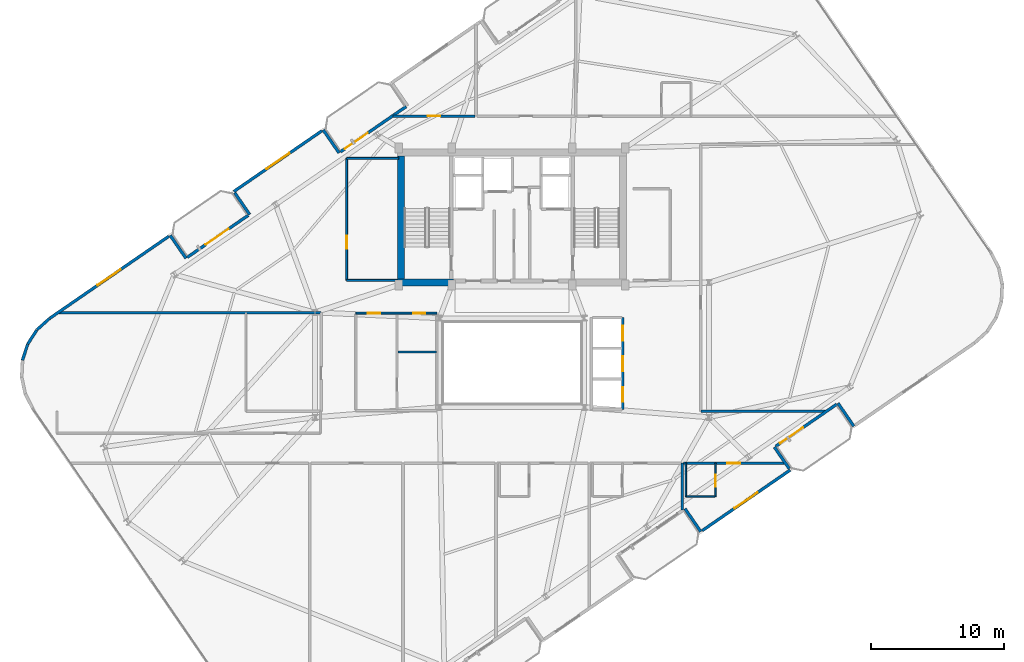
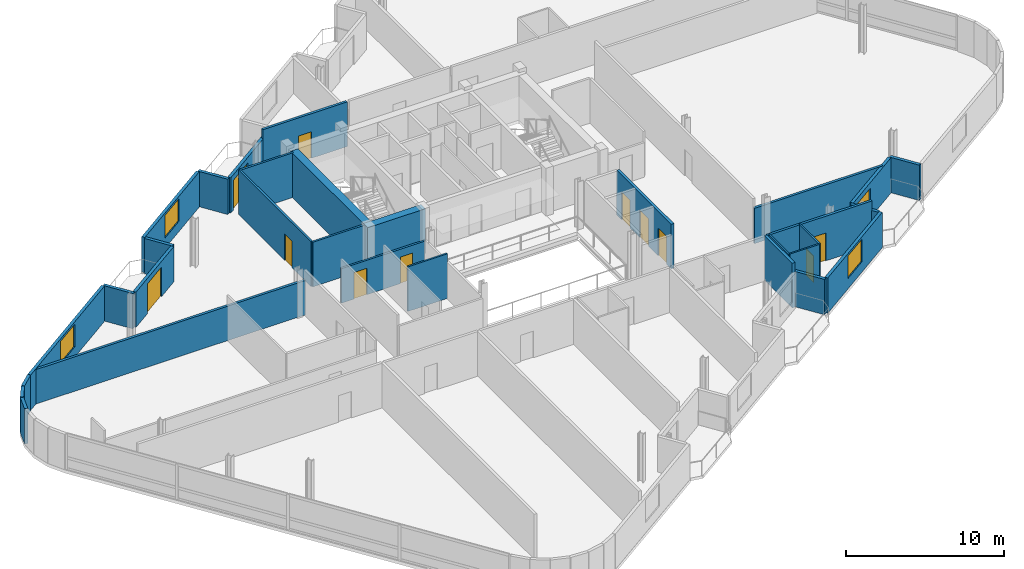
# One storey, part 15 of 21: 31 walls, 12 doors, 3 windows, 15 openings.
"""IFC4 building model written with IfcOpenShell, lengths in metres."""

from ifc_helpers import new_model, si_unit, direction, frame, frame_2d, origin, place, context, subcontext, project, spatial, rectangle, extrude, material, layer, layer_set, type_object, element, fill, save


model = new_model("IFC4")

# Units and contexts
model_context = context("Model", 3, precision=1e-05, world=origin(), true_north=direction((0.0, 1.0)))
body_context = subcontext(model_context, "Body", "Model", "MODEL_VIEW")
ifc_project = project(units=[si_unit("LENGTHUNIT", "METRE"), si_unit("AREAUNIT", "SQUARE_METRE"), si_unit("VOLUMEUNIT", "CUBIC_METRE"), si_unit("PLANEANGLEUNIT", "RADIAN"), si_unit("MASSUNIT", "GRAM", prefix="KILO")], contexts=[model_context])

# Site, building, storey
site_placement = place(None, origin())
site = spatial("IfcSite", under=ifc_project, at=site_placement, CompositionType="ELEMENT")
building_placement = place(site_placement, origin())
building = spatial("IfcBuilding", under=site, at=building_placement, Name="Varnelok Gate Tower", CompositionType="ELEMENT")
storey_placement = place(building_placement, frame((0.0, 0.0, 261.89990234375)))
storey = spatial("IfcBuildingStorey", under=building, at=storey_placement, Name="L67", CompositionType="ELEMENT", Elevation=261.89990234375)

# Wall, opening, door
ifc_material_1 = material(Name="Concrete C45/55", Category="concrete")
ifc_layer_1 = layer(ifc_material_1, 0.219970703125)
ifc_layer_set_1 = layer_set([ifc_layer_1], Name="Concrete C45/55")
wall_type_1 = type_object("IfcWallType", Name="EW-BALC-220", PredefinedType="SOLIDWALL", material=ifc_layer_set_1)
wall_1_placement = place(storey_placement, frame((63.60498046875, 19.780029296875, 0.0), z_axis=(0.0, 0.0, 1.0), x_axis=(-0.823541290762, -0.567256328665, 0.0)))
wall_1 = element("IfcWall", 1, at=wall_1_placement, inside=storey, type_object=wall_type_1, Name="L67 South Terrace Envelope Wall 3", PredefinedType="SOLIDWALL", context=body_context, shape_type="SweptSolid", body=[
    extrude(rectangle(XDim=5.567138671875, YDim=0.219970703125, at=frame_2d((2.78369140625, 0.0))), origin(), (0.0, 0.0, 1.0), 2.72998046875),
])
opening_1_placement = place(wall_1_placement, frame((3.067138671875, 0.0, 0.0)))
opening_1 = element("IfcOpeningElement", 2, at=opening_1_placement, cuts=wall_1, Name="Opening BD-2", PredefinedType="OPENING", context=body_context, shape_type="SweptSolid", body=[
    extrude(rectangle(XDim=2.10009765625, YDim=2.300048828125, at=frame_2d((1.050048828125, 1.14990234375))), frame((0.0, 0.119873046875, 0.0), z_axis=(0.0, -1.0, 0.0), x_axis=(1.0, 0.0, 0.0)), (0.0, 0.0, 1.0), 0.239990234375),
])
ifc_material_2 = material(Name="Anodized Aluminum Alloy 6063-T6", Category="aluminium")
door_type_1 = type_object("IfcDoorType", Name="DR-EXT-SLID2100", OperationType="SLIDING_TO_LEFT", PredefinedType="DOOR", material=ifc_material_2)
door_1_placement = place(opening_1_placement, origin())
door_1 = element("IfcDoor", 3, at=door_1_placement, inside=storey, type_object=door_type_1, Name="L67 South Balcony Glazed Door 3", OperationType="SLIDING_TO_LEFT", OverallHeight=2.300048828125, OverallWidth=2.10009765625, PredefinedType="DOOR", context=body_context, shape_type="SweptSolid", body=[
    extrude(rectangle(XDim=2.10009765625, YDim=2.300048828125, at=frame_2d((1.050048828125, 1.14990234375))), frame((0.0, 0.02490234375, 0.0), z_axis=(0.0, -1.0, 0.0), x_axis=(1.0, 0.0, 0.0)), (0.0, 0.0, 1.0), 0.050048828125),
])
fill(opening_1, door_1)

wall_2_placement = place(storey_placement, frame((14.794921875, 30.81982421875, 0.0), z_axis=(0.0, 0.0, 1.0), x_axis=(0.823541290762, 0.567256328665, 0.0)))
wall_2 = element("IfcWall", 4, at=wall_2_placement, inside=storey, type_object=wall_type_1, Name="L67 North Terrace Envelope Wall 4", PredefinedType="SOLIDWALL", context=body_context, shape_type="SweptSolid", body=[
    extrude(rectangle(XDim=5.567138671875, YDim=0.219970703125, at=frame_2d((2.78369140625, 0.0))), origin(), (0.0, 0.0, 1.0), 2.72998046875),
])
opening_2_placement = place(wall_2_placement, frame((1.68017578125, 0.0, 0.0)))
opening_2 = element("IfcOpeningElement", 5, at=opening_2_placement, cuts=wall_2, Name="Opening BD-2", PredefinedType="OPENING", context=body_context, shape_type="SweptSolid", body=[
    extrude(rectangle(XDim=2.10009765625, YDim=2.300048828125, at=frame_2d((1.050048828125, 1.14990234375))), frame((0.0, 0.119873046875, 0.0), z_axis=(0.0, -1.0, 0.0), x_axis=(1.0, 0.0, 0.0)), (0.0, 0.0, 1.0), 0.239990234375),
])
door_2_placement = place(opening_2_placement, origin())
door_2 = element("IfcDoor", 6, at=door_2_placement, inside=storey, type_object=door_type_1, Name="L67 North Balcony Glazed Door 4", OperationType="SLIDING_TO_LEFT", OverallHeight=2.300048828125, OverallWidth=2.10009765625, PredefinedType="DOOR", context=body_context, shape_type="SweptSolid", body=[
    extrude(rectangle(XDim=2.10009765625, YDim=2.300048828125, at=frame_2d((1.050048828125, 1.14990234375))), frame((0.0, 0.02490234375, 0.0), z_axis=(0.0, -1.0, 0.0), x_axis=(1.0, 0.0, 0.0)), (0.0, 0.0, 1.0), 0.050048828125),
])
fill(opening_2, door_2)

wall_3_placement = place(storey_placement, frame((26.29736328125, 38.742919921875, 0.0), z_axis=(0.0, 0.0, 1.0), x_axis=(0.823534636215, 0.567265989598, 0.0)))
wall_3 = element("IfcWall", 7, at=wall_3_placement, inside=storey, type_object=wall_type_1, Name="L67 North Terrace Envelope Wall 5", PredefinedType="SOLIDWALL", context=body_context, shape_type="SweptSolid", body=[
    extrude(rectangle(XDim=6.0, YDim=0.219970703125, at=frame_2d((3.0, 0.0))), origin(), (0.0, 0.0, 1.0), 2.72998046875),
])
opening_3_placement = place(wall_3_placement, frame((0.39990234375, 0.0, 0.0)))
opening_3 = element("IfcOpeningElement", 8, at=opening_3_placement, cuts=wall_3, Name="Opening BD-2", PredefinedType="OPENING", context=body_context, shape_type="SweptSolid", body=[
    extrude(rectangle(XDim=2.10009765625, YDim=2.300048828125, at=frame_2d((1.050048828125, 1.14990234375))), frame((0.0, 0.119873046875, 0.0), z_axis=(0.0, -1.0, 0.0), x_axis=(1.0, 0.0, 0.0)), (0.0, 0.0, 1.0), 0.239990234375),
])
door_3_placement = place(opening_3_placement, origin())
door_3 = element("IfcDoor", 9, at=door_3_placement, inside=storey, type_object=door_type_1, Name="L67 North Balcony Glazed Door 5", OperationType="SLIDING_TO_LEFT", OverallHeight=2.300048828125, OverallWidth=2.10009765625, PredefinedType="DOOR", context=body_context, shape_type="SweptSolid", body=[
    extrude(rectangle(XDim=2.10009765625, YDim=2.300048828125, at=frame_2d((1.050048828125, 1.14990234375))), frame((0.0, 0.02490234375, 0.0), z_axis=(0.0, -1.0, 0.0), x_axis=(1.0, 0.0, 0.0)), (0.0, 0.0, 1.0), 0.050048828125),
])
fill(opening_3, door_3)

# Wall
wall_4_placement = place(storey_placement, frame((52.19580078125, 11.933349609375, 0.0), z_axis=(0.0, 0.0, 1.0), x_axis=(0.56729822855, -0.823512428494, 0.0)))
element("IfcWall", 10, at=wall_4_placement, inside=storey, type_object=wall_type_1, Name="L67 Perimeter Facade Closure Wall 12", PredefinedType="SOLIDWALL", context=body_context, shape_type="SweptSolid", body=[
    extrude(rectangle(XDim=2.10009765625, YDim=0.219970703125, at=frame_2d((1.050048828125, 0.0))), origin(), (0.0, 0.0, 1.0), 2.72998046875),
])

# Wall, opening, window
wall_5_placement = place(storey_placement, frame((53.489990234375, 10.27490234375, 0.0), z_axis=(0.0, 0.0, 1.0), x_axis=(0.823530942962, 0.56727135128, 0.0)))
wall_5 = element("IfcWall", 11, at=wall_5_placement, inside=storey, type_object=wall_type_1, Name="L67 Perimeter Facade Closure Wall 13", PredefinedType="SOLIDWALL", context=body_context, shape_type="SweptSolid", body=[
    extrude(rectangle(XDim=8.03515625, YDim=0.219970703125, at=frame_2d((4.017578125, 0.0))), origin(), (0.0, 0.0, 1.0), 2.72998046875),
])
opening_4_placement = place(wall_5_placement, frame((2.967529296875, 0.0, 0.800048828125)))
opening_4 = element("IfcOpeningElement", 12, at=opening_4_placement, cuts=wall_5, Name="Opening WN4", PredefinedType="OPENING", context=body_context, shape_type="SweptSolid", body=[
    extrude(rectangle(XDim=2.10009765625, YDim=1.75, at=frame_2d((1.050048828125, 0.875))), frame((0.0, 0.119873046875, 0.0), z_axis=(0.0, -1.0, 0.0), x_axis=(1.0, 0.0, 0.0)), (0.0, 0.0, 1.0), 0.239990234375),
])
ifc_material_3 = material(Name="Low-E Laminated Double Glazing IGU", Category="glass")
window_type = type_object("IfcWindowType", Name="WN-SUI-2100", PartitioningType="SINGLE_PANEL", PredefinedType="WINDOW", material=ifc_material_3)
window_1_placement = place(opening_4_placement, origin())
window_1 = element("IfcWindow", 13, at=window_1_placement, inside=storey, type_object=window_type, Name="L67 Perimeter Vision Window 13", OverallHeight=1.75, OverallWidth=2.10009765625, PartitioningType="SINGLE_PANEL", PredefinedType="WINDOW", context=body_context, shape_type="SweptSolid", body=[
    extrude(rectangle(XDim=2.10009765625, YDim=1.75, at=frame_2d((1.050048828125, 0.875))), frame((0.0, 0.030029296875, 0.0), z_axis=(0.0, -1.0, 0.0), x_axis=(1.0, 0.0, 0.0)), (0.0, 0.0, 1.0), 0.06005859375),
])
fill(opening_4, window_1)

# Walls
wall_6_placement = place(storey_placement, frame((60.0361328125, 14.935791015625, 0.0), z_axis=(0.0, 0.0, 1.0), x_axis=(-0.567273565974, 0.823529417415, 0.0)))
element("IfcWall", 14, at=wall_6_placement, inside=storey, type_object=wall_type_1, Name="L67 Perimeter Facade Closure Wall 14", PredefinedType="SOLIDWALL", context=body_context, shape_type="SweptSolid", body=[
    extrude(rectangle(XDim=1.97509765625, YDim=0.219970703125, at=frame_2d((0.987548828125, 0.0))), origin(), (0.0, 0.0, 1.0), 2.72998046875),
])
for number, where, z_axis, x_axis, name in (
    (15, (63.6982421875, 19.8564453125, 0.0), (0.0, 0.0, 1.0), (0.567219383419, -0.823566737474, 0.0), "L67 Perimeter Facade Closure Wall 15"),
    (16, (26.2041015625, 38.66650390625, 0.0), (0.0, 0.0, 1.0), (-0.567219383419, 0.823566737474, 0.0), "L67 Perimeter Facade Closure Wall 34"),
):
    element("IfcWall", number, at=place(storey_placement, frame(where, z_axis=z_axis, x_axis=x_axis)), inside=storey, type_object=wall_type_1, Name=name, PredefinedType="SOLIDWALL", context=body_context, shape_type="SweptSolid", body=[
        extrude(rectangle(XDim=2.10009765625, YDim=0.219970703125, at=frame_2d((1.050048828125, 0.0))), origin(), (0.0, 0.0, 1.0), 2.72998046875),
    ])

# Wall, opening, window
wall_7_placement = place(storey_placement, frame((24.909912109375, 40.3251953125, 0.0), z_axis=(0.0, 0.0, 1.0), x_axis=(-0.823521165086, -0.56728554596, 0.0)))
wall_7 = element("IfcWall", 17, at=wall_7_placement, inside=storey, type_object=wall_type_1, Name="L67 Perimeter Facade Closure Wall 35", PredefinedType="SOLIDWALL", context=body_context, shape_type="SweptSolid", body=[
    extrude(rectangle(XDim=8.034912109375, YDim=0.219970703125, at=frame_2d((4.017578125, 0.0))), origin(), (0.0, 0.0, 1.0), 2.72998046875),
])
opening_5_placement = place(wall_7_placement, frame((2.967529296875, 0.0, 0.800048828125)))
opening_5 = element("IfcOpeningElement", 18, at=opening_5_placement, cuts=wall_7, Name="Opening WN4", PredefinedType="OPENING", context=body_context, shape_type="SweptSolid", body=[
    extrude(rectangle(XDim=2.10009765625, YDim=1.75, at=frame_2d((1.050048828125, 0.875))), frame((0.0, 0.119873046875, 0.0), z_axis=(0.0, -1.0, 0.0), x_axis=(1.0, 0.0, 0.0)), (0.0, 0.0, 1.0), 0.239990234375),
])
window_2_placement = place(opening_5_placement, origin())
window_2 = element("IfcWindow", 19, at=window_2_placement, inside=storey, type_object=window_type, Name="L67 Perimeter Vision Window 35", OverallHeight=1.75, OverallWidth=2.10009765625, PartitioningType="SINGLE_PANEL", PredefinedType="WINDOW", context=body_context, shape_type="SweptSolid", body=[
    extrude(rectangle(XDim=2.10009765625, YDim=1.75, at=frame_2d((1.050048828125, 0.875))), frame((0.0, 0.030029296875, 0.0), z_axis=(0.0, -1.0, 0.0), x_axis=(1.0, 0.0, 0.0)), (0.0, 0.0, 1.0), 0.06005859375),
])
fill(opening_5, window_2)

# Walls
wall_8_placement = place(storey_placement, frame((18.36376953125, 35.664306640625, 0.0), z_axis=(0.0, 0.0, 1.0), x_axis=(0.567215821234, -0.823569190865, 0.0)))
element("IfcWall", 20, at=wall_8_placement, inside=storey, type_object=wall_type_1, Name="L67 Perimeter Facade Closure Wall 36", PredefinedType="SOLIDWALL", context=body_context, shape_type="SweptSolid", body=[
    extrude(rectangle(XDim=1.97509765625, YDim=0.219970703125, at=frame_2d((0.987548828125, 0.0))), origin(), (0.0, 0.0, 1.0), 2.72998046875),
])
wall_9_placement = place(storey_placement, frame((14.701904296875, 30.74365234375, 0.0), z_axis=(0.0, 0.0, 1.0), x_axis=(-0.567352541689, 0.823475010816, 0.0)))
element("IfcWall", 21, at=wall_9_placement, inside=storey, type_object=wall_type_1, Name="L67 Perimeter Facade Closure Wall 37", PredefinedType="SOLIDWALL", context=body_context, shape_type="SweptSolid", body=[
    extrude(rectangle(XDim=2.099853515625, YDim=0.219970703125, at=frame_2d((1.0498046875, 0.0))), origin(), (0.0, 0.0, 1.0), 2.72998046875),
])

# Wall, opening, window
wall_10_placement = place(storey_placement, frame((13.40771484375, 32.402099609375, 0.0), z_axis=(0.0, 0.0, 1.0), x_axis=(-0.823527634633, -0.567276154087, 0.0)))
wall_10 = element("IfcWall", 22, at=wall_10_placement, inside=storey, type_object=wall_type_1, Name="L67 Perimeter Facade Closure Wall 38", PredefinedType="SOLIDWALL", context=body_context, shape_type="SweptSolid", body=[
    extrude(rectangle(XDim=10.88037109375, YDim=0.219970703125, at=frame_2d((5.440185546875, 0.0))), origin(), (0.0, 0.0, 1.0), 2.72998046875),
])
opening_6_placement = place(wall_10_placement, frame((4.39013671875, 0.0, 0.800048828125)))
opening_6 = element("IfcOpeningElement", 23, at=opening_6_placement, cuts=wall_10, Name="Opening WN4", PredefinedType="OPENING", context=body_context, shape_type="SweptSolid", body=[
    extrude(rectangle(XDim=2.10009765625, YDim=1.75, at=frame_2d((1.050048828125, 0.875))), frame((0.0, 0.119873046875, 0.0), z_axis=(0.0, -1.0, 0.0), x_axis=(1.0, 0.0, 0.0)), (0.0, 0.0, 1.0), 0.239990234375),
])
window_3_placement = place(opening_6_placement, origin())
window_3 = element("IfcWindow", 24, at=window_3_placement, inside=storey, type_object=window_type, Name="L67 Perimeter Vision Window 38", OverallHeight=1.75, OverallWidth=2.10009765625, PartitioningType="SINGLE_PANEL", PredefinedType="WINDOW", context=body_context, shape_type="SweptSolid", body=[
    extrude(rectangle(XDim=2.10009765625, YDim=1.75, at=frame_2d((1.050048828125, 0.875))), frame((0.0, 0.030029296875, 0.0), z_axis=(0.0, -1.0, 0.0), x_axis=(1.0, 0.0, 0.0)), (0.0, 0.0, 1.0), 0.06005859375),
])
fill(opening_6, window_3)

# Walls
wall_11_placement = place(storey_placement, frame((4.428955078125, 26.21337890625, 0.0), z_axis=(0.0, 0.0, 1.0), x_axis=(-0.742414330744, -0.669941013453, 0.0)))
element("IfcWall", 25, at=wall_11_placement, inside=storey, type_object=wall_type_1, Name="L67 Perimeter Facade Closure Wall 39", PredefinedType="SOLIDWALL", context=body_context, shape_type="SweptSolid", body=[
    extrude(rectangle(XDim=1.256591796875, YDim=0.219970703125, at=frame_2d((0.62841796875, 0.0))), origin(), (0.0, 0.0, 1.0), 2.72998046875),
])
for number, where, z_axis, x_axis, name in (
    (26, (3.482421875, 25.3505859375, 0.0), (0.0, 0.0, 1.0), (-0.543778157277, -0.839229000731, 0.0), "L67 Perimeter Facade Closure Wall 40"),
    (27, (2.7958984375, 24.27880859375, 0.0), (0.0, 0.0, 1.0), (-0.30817950344, -0.951328226039, 0.0), "L67 Perimeter Facade Closure Wall 41"),
):
    element("IfcWall", number, at=place(storey_placement, frame(where, z_axis=z_axis, x_axis=x_axis)), inside=storey, type_object=wall_type_1, Name=name, PredefinedType="SOLIDWALL", context=body_context, shape_type="SweptSolid", body=[
        extrude(rectangle(XDim=1.24853515625, YDim=0.219970703125, at=frame_2d((0.624267578125, 0.0))), origin(), (0.0, 0.0, 1.0), 2.72998046875),
    ])

# Wall, opening, door
ifc_material_4 = material(Name="Gypsum Plasterboard Acoustic Partition", Category="gypsum")
ifc_layer_2 = layer(ifc_material_4, 0.179931640625)
ifc_layer_set_2 = layer_set([ifc_layer_2], Name="Gypsum Plasterboard Acoustic Partition")
wall_type_2 = type_object("IfcWallType", Name="PW-CORR-180", PredefinedType="PARTITIONING", material=ifc_layer_set_2)
wall_12_placement = place(storey_placement, frame((52.080078125, 15.35009765625, 0.0), z_axis=(0.0, 0.0, 1.0), x_axis=(1.0, 0.0, 0.0)))
wall_12 = element("IfcWall", 28, at=wall_12_placement, inside=storey, type_object=wall_type_2, Name="Interior Partition", PredefinedType="PARTITIONING", context=body_context, shape_type="SweptSolid", body=[
    extrude(rectangle(XDim=7.646484375, YDim=0.179931640625, at=frame_2d((3.8232421875, 0.0))), origin(), (0.0, 0.0, 1.0), 3.4501953125),
])
opening_7_placement = place(wall_12_placement, frame((3.31103515625, 0.0, 0.0)))
opening_7 = element("IfcOpeningElement", 29, at=opening_7_placement, cuts=wall_12, Name="Opening D-HT", PredefinedType="OPENING", context=body_context, shape_type="SweptSolid", body=[
    extrude(rectangle(XDim=0.949951171875, YDim=2.14990234375, at=frame_2d((0.47509765625, 1.074951171875))), frame((0.0, 0.099853515625, 0.0), z_axis=(0.0, -1.0, 0.0), x_axis=(1.0, 0.0, 0.0)), (0.0, 0.0, 1.0), 0.199951171875),
])
ifc_material_5 = material(Name="Engineered Hardwood Timber", Category="wood")
door_type_2 = type_object("IfcDoorType", Name="DR-HTL-950", OperationType="NOTDEFINED", PredefinedType="DOOR", material=ifc_material_5)
door_4_placement = place(opening_7_placement, origin())
door_4 = element("IfcDoor", 30, at=door_4_placement, inside=storey, type_object=door_type_2, Name="L67 Guest Room 06 Entrance Door", OperationType="SINGLE_SWING_LEFT", OverallHeight=2.14990234375, OverallWidth=0.949951171875, PredefinedType="DOOR", context=body_context, shape_type="SweptSolid", body=[
    extrude(rectangle(XDim=0.949951171875, YDim=2.14990234375, at=frame_2d((0.47509765625, 1.074951171875))), frame((0.0, 0.02490234375, 0.0), z_axis=(0.0, -1.0, 0.0), x_axis=(1.0, 0.0, 0.0)), (0.0, 0.0, 1.0), 0.050048828125),
])
fill(opening_7, door_4)

wall_13_placement = place(storey_placement, frame((30.251220703125, 41.429931640625, 0.0), z_axis=(0.0, 0.0, 1.0), x_axis=(1.0, 0.0, 0.0)))
wall_13 = element("IfcWall", 31, at=wall_13_placement, inside=storey, type_object=wall_type_2, Name="Interior Partition", PredefinedType="PARTITIONING", context=body_context, shape_type="SweptSolid", body=[
    extrude(rectangle(XDim=6.168701171875, YDim=0.179931640625, at=frame_2d((3.08447265625, 0.0))), origin(), (0.0, 0.0, 1.0), 3.4501953125),
])
opening_8_placement = place(wall_13_placement, frame((2.609375, 0.0, 0.0)))
opening_8 = element("IfcOpeningElement", 32, at=opening_8_placement, cuts=wall_13, Name="Opening D-I2", PredefinedType="OPENING", context=body_context, shape_type="SweptSolid", body=[
    extrude(rectangle(XDim=0.949951171875, YDim=2.050048828125, at=frame_2d((0.47509765625, 1.02490234375))), frame((0.0, 0.099853515625, 0.0), z_axis=(0.0, -1.0, 0.0), x_axis=(1.0, 0.0, 0.0)), (0.0, 0.0, 1.0), 0.199951171875),
])
door_type_3 = type_object("IfcDoorType", Name="DR-INT-950", OperationType="NOTDEFINED", PredefinedType="DOOR", material=ifc_material_5)
door_5_placement = place(opening_8_placement, origin())
door_5 = element("IfcDoor", 33, at=door_5_placement, inside=storey, type_object=door_type_3, Name="L67 Private Owners Horizon Club Door", OperationType="SINGLE_SWING_LEFT", OverallHeight=2.050048828125, OverallWidth=0.949951171875, PredefinedType="DOOR", context=body_context, shape_type="SweptSolid", body=[
    extrude(rectangle(XDim=0.949951171875, YDim=2.050048828125, at=frame_2d((0.47509765625, 1.02490234375))), frame((0.0, 0.02490234375, 0.0), z_axis=(0.0, -1.0, 0.0), x_axis=(1.0, 0.0, 0.0)), (0.0, 0.0, 1.0), 0.050048828125),
])
fill(opening_8, door_5)

# Walls
wall_14_placement = place(storey_placement, frame((5.10693359375, 26.659912109375, 0.0), z_axis=(0.0, 0.0, 1.0), x_axis=(1.0, 0.0, 0.0)))
element("IfcWall", 34, at=wall_14_placement, inside=storey, type_object=wall_type_2, Name="Interior Partition", PredefinedType="PARTITIONING", context=body_context, shape_type="SweptSolid", body=[
    extrude(rectangle(XDim=19.7431640625, YDim=0.179931640625, at=frame_2d((9.87158203125, 0.0))), origin(), (0.0, 0.0, 1.0), 2.662109375),
])
wall_15_placement = place(storey_placement, frame((53.389892578125, 19.239990234375, 0.0), z_axis=(0.0, 0.0, 1.0), x_axis=(1.0, 0.0, 0.0)))
element("IfcWall", 35, at=wall_15_placement, inside=storey, type_object=wall_type_2, Name="Interior Partition", PredefinedType="PARTITIONING", context=body_context, shape_type="SweptSolid", body=[
    extrude(rectangle(XDim=9.378173828125, YDim=0.179931640625, at=frame_2d((4.68896484375, 0.0))), origin(), (0.0, 0.0, 1.0), 2.739013671875),
])
ifc_layer_3 = layer(ifc_material_4, 0.114990234375)
ifc_layer_set_3 = layer_set([ifc_layer_3], Name="Gypsum Plasterboard Acoustic Partition")
wall_type_3 = type_object("IfcWallType", Name="PW-ENS-125", PredefinedType="PARTITIONING", material=ifc_layer_set_3)
wall_16_placement = place(storey_placement, frame((52.300048828125, 12.830078125, 0.0), z_axis=(0.0, 0.0, 1.0), x_axis=(1.0, 0.0, 0.0)))
element("IfcWall", 36, at=wall_16_placement, inside=storey, type_object=wall_type_3, Name="Interior Partition", PredefinedType="PARTITIONING", context=body_context, shape_type="SweptSolid", body=[
    extrude(rectangle(XDim=2.14990234375, YDim=0.114990234375, at=frame_2d((1.074951171875, 0.0))), origin(), (0.0, 0.0, 1.0), 3.4501953125),
])

# Wall, opening, door
wall_17_placement = place(storey_placement, frame((54.489990234375, 12.830078125, 0.0), z_axis=(0.0, 0.0, 1.0), x_axis=(0.0, 1.0, 0.0)))
wall_17 = element("IfcWall", 37, at=wall_17_placement, inside=storey, type_object=wall_type_3, Name="Interior Partition", PredefinedType="PARTITIONING", context=body_context, shape_type="SweptSolid", body=[
    extrude(rectangle(XDim=2.52001953125, YDim=0.114990234375, at=frame_2d((1.260009765625, 0.0))), origin(), (0.0, 0.0, 1.0), 3.4501953125),
])
opening_9_placement = place(wall_17_placement, frame((0.760009765625, 0.0, 0.0)))
opening_9 = element("IfcOpeningElement", 38, at=opening_9_placement, cuts=wall_17, Name="Opening D-WC", PredefinedType="OPENING", context=body_context, shape_type="SweptSolid", body=[
    extrude(rectangle(XDim=0.89990234375, YDim=2.050048828125, at=frame_2d((0.449951171875, 1.02490234375))), frame((0.0, 0.0673828125, 0.0), z_axis=(0.0, -1.0, 0.0), x_axis=(1.0, 0.0, 0.0)), (0.0, 0.0, 1.0), 0.135009765625),
])
door_type_4 = type_object("IfcDoorType", Name="DR-BATH-900", OperationType="NOTDEFINED", PredefinedType="DOOR", material=ifc_material_5)
door_6_placement = place(opening_9_placement, origin())
door_6 = element("IfcDoor", 39, at=door_6_placement, inside=storey, type_object=door_type_4, Name="L67 Guest En-Suite 06 Door", OperationType="SINGLE_SWING_LEFT", OverallHeight=2.050048828125, OverallWidth=0.89990234375, PredefinedType="DOOR", context=body_context, shape_type="SweptSolid", body=[
    extrude(rectangle(XDim=0.89990234375, YDim=2.050048828125, at=frame_2d((0.449951171875, 1.02490234375))), frame((0.0, 0.02490234375, 0.0), z_axis=(0.0, -1.0, 0.0), x_axis=(1.0, 0.0, 0.0)), (0.0, 0.0, 1.0), 0.050048828125),
])
fill(opening_9, door_6)

# Walls
wall_18_placement = place(storey_placement, frame((52.260009765625, 12.830078125, 0.0), z_axis=(0.0, 0.0, 1.0), x_axis=(0.0, 1.0, 0.0)))
element("IfcWall", 40, at=wall_18_placement, inside=storey, type_object=wall_type_3, Name="Interior Partition", PredefinedType="PARTITIONING", context=body_context, shape_type="SweptSolid", body=[
    extrude(rectangle(XDim=2.52001953125, YDim=0.114990234375, at=frame_2d((1.260009765625, 0.0))), origin(), (0.0, 0.0, 1.0), 3.4501953125),
])
ifc_layer_4 = layer(ifc_material_4, 0.125)
ifc_layer_set_4 = layer_set([ifc_layer_4], Name="Gypsum Plasterboard Acoustic Partition")
wall_type_4 = type_object("IfcWallType", Name="PW-PART-125", PredefinedType="PARTITIONING", material=ifc_layer_set_4)
wall_19_placement = place(storey_placement, frame((30.639892578125, 23.7099609375, 0.0), z_axis=(0.0, 0.0, 1.0), x_axis=(1.0, 0.0, 0.0)))
element("IfcWall", 41, at=wall_19_placement, inside=storey, type_object=wall_type_4, Name="Interior Partition", PredefinedType="PARTITIONING", context=body_context, shape_type="SweptSolid", body=[
    extrude(rectangle(XDim=2.880126953125, YDim=0.125, at=frame_2d((1.43994140625, 0.0))), origin(), (0.0, 0.0, 1.0), 3.4501953125),
])

# Wall, openings, doors
ifc_layer_5 = layer(ifc_material_4, 0.14990234375)
ifc_layer_set_5 = layer_set([ifc_layer_5], Name="Gypsum Plasterboard Acoustic Partition")
wall_type_5 = type_object("IfcWallType", Name="PW-PART-150", PredefinedType="PARTITIONING", material=ifc_layer_set_5)
wall_20_placement = place(storey_placement, frame((27.4599609375, 26.6201171875, 0.0), z_axis=(0.0, 0.0, 1.0), x_axis=(1.0, 0.0, 0.0)))
wall_20 = element("IfcWall", 42, at=wall_20_placement, inside=storey, type_object=wall_type_5, Name="Interior Partition", PredefinedType="PARTITIONING", context=body_context, shape_type="SweptSolid", body=[
    extrude(rectangle(XDim=6.10009765625, YDim=0.14990234375, at=frame_2d((3.050048828125, 0.0))), origin(), (0.0, 0.0, 1.0), 2.662109375),
])
opening_10_placement = place(wall_20_placement, frame((0.89990234375, 0.0, 0.0)))
opening_10 = element("IfcOpeningElement", 43, at=opening_10_placement, cuts=wall_20, Name="Opening D-I2", PredefinedType="OPENING", context=body_context, shape_type="SweptSolid", body=[
    extrude(rectangle(XDim=0.949951171875, YDim=2.050048828125, at=frame_2d((0.47509765625, 1.02490234375))), frame((0.0, 0.0849609375, 0.0), z_axis=(0.0, -1.0, 0.0), x_axis=(1.0, 0.0, 0.0)), (0.0, 0.0, 1.0), 0.169921875),
])
opening_11_placement = place(wall_20_placement, frame((4.302978515625, 0.0, 0.0)))
opening_11 = element("IfcOpeningElement", 44, at=opening_11_placement, cuts=wall_20, Name="Opening D-WC", PredefinedType="OPENING", context=body_context, shape_type="SweptSolid", body=[
    extrude(rectangle(XDim=0.89990234375, YDim=2.050048828125, at=frame_2d((0.449951171875, 1.02490234375))), frame((0.0, 0.0849609375, 0.0), z_axis=(0.0, -1.0, 0.0), x_axis=(1.0, 0.0, 0.0)), (0.0, 0.0, 1.0), 0.169921875),
])
door_7_placement = place(opening_11_placement, origin())
door_7 = element("IfcDoor", 45, at=door_7_placement, inside=storey, type_object=door_type_4, Name="L67 Accessible Floor WC Door", OperationType="SINGLE_SWING_LEFT", OverallHeight=2.050048828125, OverallWidth=0.89990234375, PredefinedType="DOOR", context=body_context, shape_type="SweptSolid", body=[
    extrude(rectangle(XDim=0.89990234375, YDim=2.050048828125, at=frame_2d((0.449951171875, 1.02490234375))), frame((0.0, 0.02490234375, 0.0), z_axis=(0.0, -1.0, 0.0), x_axis=(1.0, 0.0, 0.0)), (0.0, 0.0, 1.0), 0.050048828125),
])
fill(opening_11, door_7)
door_8_placement = place(opening_10_placement, origin())
door_8 = element("IfcDoor", 46, at=door_8_placement, inside=storey, type_object=door_type_3, Name="L67 Sommelier Tasting Cellar Door", OperationType="SINGLE_SWING_RIGHT", OverallHeight=2.050048828125, OverallWidth=0.949951171875, PredefinedType="DOOR", context=body_context, shape_type="SweptSolid", body=[
    extrude(rectangle(XDim=0.949951171875, YDim=2.050048828125, at=frame_2d((0.47509765625, 1.02490234375))), frame((0.0, 0.02490234375, 0.0), z_axis=(0.0, -1.0, 0.0), x_axis=(1.0, 0.0, 0.0)), (0.0, 0.0, 1.0), 0.050048828125),
])
fill(opening_10, door_8)

# Walls
wall_21_placement = place(storey_placement, frame((26.780029296875, 29.080078125, 0.0), z_axis=(0.0, 0.0, 1.0), x_axis=(1.0, 0.0, 0.0)))
element("IfcWall", 47, at=wall_21_placement, inside=storey, type_object=wall_type_5, Name="Interior Partition", PredefinedType="PARTITIONING", context=body_context, shape_type="SweptSolid", body=[
    extrude(rectangle(XDim=3.800048828125, YDim=0.14990234375, at=frame_2d((1.89990234375, 0.0))), origin(), (0.0, 0.0, 1.0), 3.4501953125),
])
wall_22_placement = place(storey_placement, frame((26.780029296875, 38.260009765625, 0.0), z_axis=(0.0, 0.0, 1.0), x_axis=(1.0, 0.0, 0.0)))
element("IfcWall", 48, at=wall_22_placement, inside=storey, type_object=wall_type_5, Name="Interior Partition", PredefinedType="PARTITIONING", context=body_context, shape_type="SweptSolid", body=[
    extrude(rectangle(XDim=3.89990234375, YDim=0.14990234375, at=frame_2d((1.949951171875, 0.0))), origin(), (0.0, 0.0, 1.0), 3.4501953125),
])

# Wall, opening, door
wall_23_placement = place(storey_placement, frame((26.780029296875, 29.080078125, 0.0), z_axis=(0.0, 0.0, 1.0), x_axis=(0.0, 1.0, 0.0)))
wall_23 = element("IfcWall", 49, at=wall_23_placement, inside=storey, type_object=wall_type_5, Name="Interior Partition", PredefinedType="PARTITIONING", context=body_context, shape_type="SweptSolid", body=[
    extrude(rectangle(XDim=9.179931640625, YDim=0.14990234375, at=frame_2d((4.58984375, 0.0))), origin(), (0.0, 0.0, 1.0), 3.4501953125),
])
opening_12_placement = place(wall_23_placement, frame((2.39990234375, 0.0, 0.0)))
opening_12 = element("IfcOpeningElement", 50, at=opening_12_placement, cuts=wall_23, Name="Opening D-I2", PredefinedType="OPENING", context=body_context, shape_type="SweptSolid", body=[
    extrude(rectangle(XDim=0.949951171875, YDim=2.050048828125, at=frame_2d((0.47509765625, 1.02490234375))), frame((0.0, 0.0849609375, 0.0), z_axis=(0.0, -1.0, 0.0), x_axis=(1.0, 0.0, 0.0)), (0.0, 0.0, 1.0), 0.169921875),
])
door_9_placement = place(opening_12_placement, origin())
door_9 = element("IfcDoor", 51, at=door_9_placement, inside=storey, type_object=door_type_3, Name="L67 Reclaimed Housekeeping Door", OperationType="SINGLE_SWING_RIGHT", OverallHeight=2.050048828125, OverallWidth=0.949951171875, PredefinedType="DOOR", context=body_context, shape_type="SweptSolid", body=[
    extrude(rectangle(XDim=0.949951171875, YDim=2.050048828125, at=frame_2d((0.47509765625, 1.02490234375))), frame((0.0, 0.02490234375, 0.0), z_axis=(0.0, -1.0, 0.0), x_axis=(1.0, 0.0, 0.0)), (0.0, 0.0, 1.0), 0.050048828125),
])
fill(opening_12, door_9)

# Wall
ifc_layer_6 = layer(ifc_material_4, 0.205078125)
ifc_layer_set_6 = layer_set([ifc_layer_6], Name="Gypsum Plasterboard Acoustic Partition")
wall_type_6 = type_object("IfcWallType", Name="PW-PARTY-200", PredefinedType="PARTITIONING", material=ifc_layer_set_6)
wall_24_placement = place(storey_placement, frame((52.0, 11.82275390625, 0.0), z_axis=(0.0, 0.0, 1.0), x_axis=(0.0, 1.0, 0.0)))
element("IfcWall", 52, at=wall_24_placement, inside=storey, type_object=wall_type_6, Name="L67 South Party Wall 5", PredefinedType="PARTITIONING", context=body_context, shape_type="SweptSolid", body=[
    extrude(rectangle(XDim=3.52734375, YDim=0.205078125, at=frame_2d((1.763671875, 0.0))), origin(), (0.0, 0.0, 1.0), 3.4501953125),
])

# Wall, openings, doors
ifc_material_6 = material(Name="Concrete C35/45", Category="concrete")
ifc_layer_7 = layer(ifc_material_6, 0.199951171875)
ifc_layer_set_7 = layer_set([ifc_layer_7], Name="Concrete C35/45")
wall_type_7 = type_object("IfcWallType", Name="PW-SHAFT-200", PredefinedType="PARTITIONING", material=ifc_layer_set_7)
wall_25_placement = place(storey_placement, frame((47.52001953125, 19.3798828125, 0.0), z_axis=(0.0, 0.0, 1.0), x_axis=(0.0, 1.0, 0.0)))
wall_25 = element("IfcWall", 53, at=wall_25_placement, inside=storey, type_object=wall_type_7, Name="L67 PH Bank Front Wall", PredefinedType="PARTITIONING", context=body_context, shape_type="SweptSolid", body=[
    extrude(rectangle(XDim=6.900146484375, YDim=0.199951171875, at=frame_2d((3.4501953125, 0.0))), origin(), (0.0, 0.0, 1.0), 3.4501953125),
])
opening_13_placement = place(wall_25_placement, frame((0.590087890625, 0.0, 0.0)))
opening_13 = element("IfcOpeningElement", 54, at=opening_13_placement, cuts=wall_25, Name="Opening LD-PH1", PredefinedType="OPENING", context=body_context, shape_type="SweptSolid", body=[
    extrude(rectangle(XDim=1.10009765625, YDim=2.14990234375, at=frame_2d((0.550048828125, 1.074951171875))), frame((0.0, 0.10986328125, 0.0), z_axis=(0.0, -1.0, 0.0), x_axis=(1.0, 0.0, 0.0)), (0.0, 0.0, 1.0), 0.219970703125),
])
opening_14_placement = place(wall_25_placement, frame((2.889892578125, 0.0, 0.0)))
opening_14 = element("IfcOpeningElement", 55, at=opening_14_placement, cuts=wall_25, Name="Opening LD-PH2", PredefinedType="OPENING", context=body_context, shape_type="SweptSolid", body=[
    extrude(rectangle(XDim=1.10009765625, YDim=2.14990234375, at=frame_2d((0.550048828125, 1.074951171875))), frame((0.0, 0.10986328125, 0.0), z_axis=(0.0, -1.0, 0.0), x_axis=(1.0, 0.0, 0.0)), (0.0, 0.0, 1.0), 0.219970703125),
])
opening_15_placement = place(wall_25_placement, frame((5.18994140625, 0.0, 0.0)))
opening_15 = element("IfcOpeningElement", 56, at=opening_15_placement, cuts=wall_25, Name="Opening LD-PH3", PredefinedType="OPENING", context=body_context, shape_type="SweptSolid", body=[
    extrude(rectangle(XDim=1.10009765625, YDim=2.14990234375, at=frame_2d((0.550048828125, 1.074951171875))), frame((0.0, 0.10986328125, 0.0), z_axis=(0.0, -1.0, 0.0), x_axis=(1.0, 0.0, 0.0)), (0.0, 0.0, 1.0), 0.219970703125),
])
ifc_material_7 = material(Name="Galvanized Steel Grade S350GD", Category="steel")
door_type_5 = type_object("IfcDoorType", Name="DR-LIFT-PAX1100", OperationType="SLIDING_TO_LEFT", PredefinedType="DOOR", material=ifc_material_7)
door_10_placement = place(opening_13_placement, origin())
door_10 = element("IfcDoor", 57, at=door_10_placement, inside=storey, type_object=door_type_5, Name="L67 Passenger Lift Landing Door LD-PH1", OperationType="SLIDING_TO_LEFT", OverallHeight=2.14990234375, OverallWidth=1.10009765625, PredefinedType="DOOR", context=body_context, shape_type="SweptSolid", body=[
    extrude(rectangle(XDim=1.10009765625, YDim=2.14990234375, at=frame_2d((0.550048828125, 1.074951171875))), frame((0.0, 0.02490234375, 0.0), z_axis=(0.0, -1.0, 0.0), x_axis=(1.0, 0.0, 0.0)), (0.0, 0.0, 1.0), 0.050048828125),
])
fill(opening_13, door_10)
door_11_placement = place(opening_14_placement, origin())
door_11 = element("IfcDoor", 58, at=door_11_placement, inside=storey, type_object=door_type_5, Name="L67 Passenger Lift Landing Door LD-PH2", OperationType="SLIDING_TO_LEFT", OverallHeight=2.14990234375, OverallWidth=1.10009765625, PredefinedType="DOOR", context=body_context, shape_type="SweptSolid", body=[
    extrude(rectangle(XDim=1.10009765625, YDim=2.14990234375, at=frame_2d((0.550048828125, 1.074951171875))), frame((0.0, 0.02490234375, 0.0), z_axis=(0.0, -1.0, 0.0), x_axis=(1.0, 0.0, 0.0)), (0.0, 0.0, 1.0), 0.050048828125),
])
fill(opening_14, door_11)
door_12_placement = place(opening_15_placement, origin())
door_12 = element("IfcDoor", 59, at=door_12_placement, inside=storey, type_object=door_type_5, Name="L67 Passenger Lift Landing Door LD-PH3", OperationType="SLIDING_TO_LEFT", OverallHeight=2.14990234375, OverallWidth=1.10009765625, PredefinedType="DOOR", context=body_context, shape_type="SweptSolid", body=[
    extrude(rectangle(XDim=1.10009765625, YDim=2.14990234375, at=frame_2d((0.550048828125, 1.074951171875))), frame((0.0, 0.02490234375, 0.0), z_axis=(0.0, -1.0, 0.0), x_axis=(1.0, 0.0, 0.0)), (0.0, 0.0, 1.0), 0.050048828125),
])
fill(opening_15, door_12)

# Walls
ifc_material_8 = material(Name="Concrete C60/75", Category="concrete")
ifc_layer_8 = layer(ifc_material_8, 0.550048828125)
ifc_layer_set_8 = layer_set([ifc_layer_8], Name="Concrete C60/75")
wall_type_8 = type_object("IfcWallType", Name="SW-CORE-550", PredefinedType="SHEAR", material=ifc_layer_set_8)
wall_26_placement = place(storey_placement, frame((30.85498046875, 29.199951171875, 0.0), z_axis=(0.0, 0.0, 1.0), x_axis=(0.0, 1.0, 0.0)))
element("IfcWall", 60, at=wall_26_placement, inside=storey, type_object=wall_type_8, Name="L67 Rear Core West Shear Wall", PredefinedType="SHEAR", context=body_context, shape_type="SweptSolid", body=[
    extrude(rectangle(XDim=9.219970703125, YDim=0.550048828125, at=frame_2d((4.60986328125, 0.0))), origin(), (0.0, 0.0, 1.0), 3.4501953125),
])
wall_27_placement = place(storey_placement, frame((30.580078125, 28.925048828125, 0.0), z_axis=(0.0, 0.0, 1.0), x_axis=(1.0, 0.0, 0.0)))
element("IfcWall", 61, at=wall_27_placement, inside=storey, type_object=wall_type_8, Name="L67 Rear Core South-West Shear Wall", PredefinedType="SHEAR", context=body_context, shape_type="SweptSolid", body=[
    extrude(rectangle(XDim=4.219970703125, YDim=0.550048828125, at=frame_2d((2.10986328125, 0.0))), origin(), (0.0, 0.0, 1.0), 3.4501953125),
])

save(model, "model.ifc")
